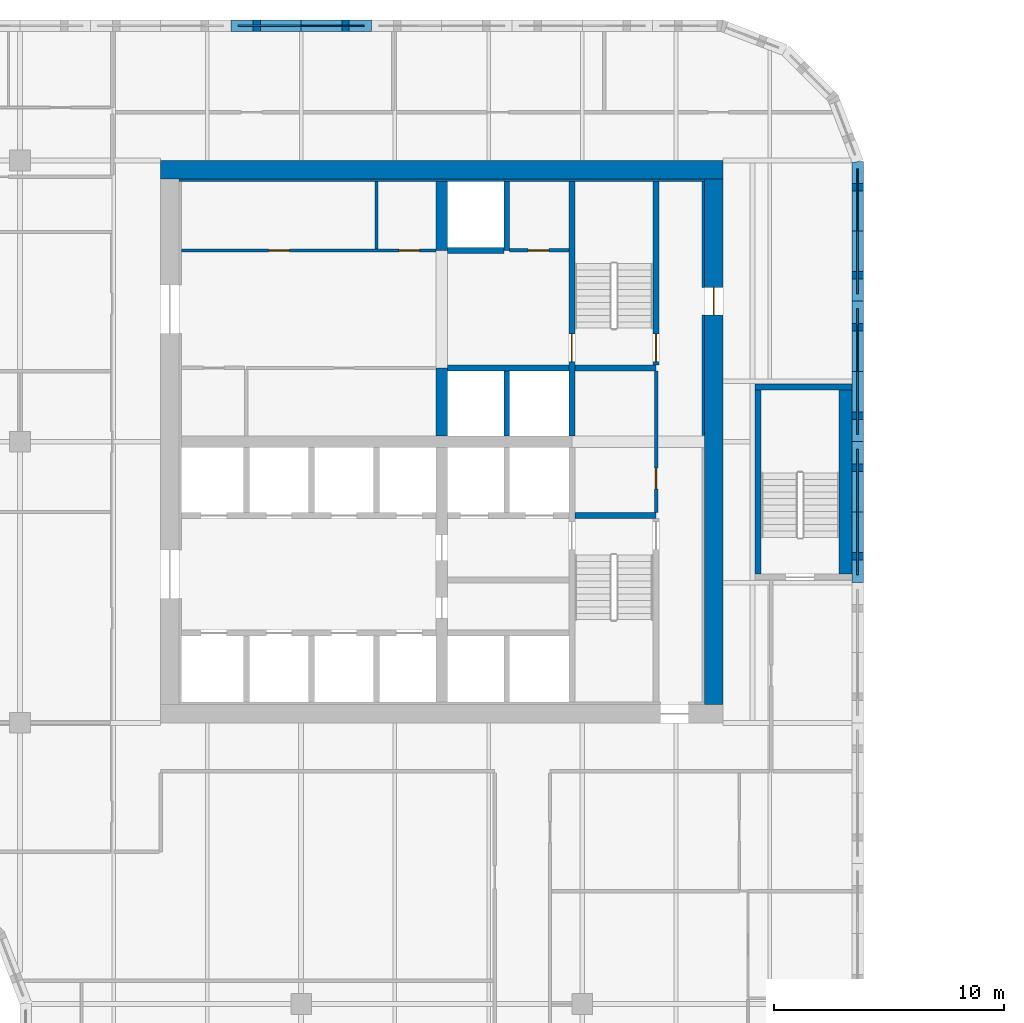
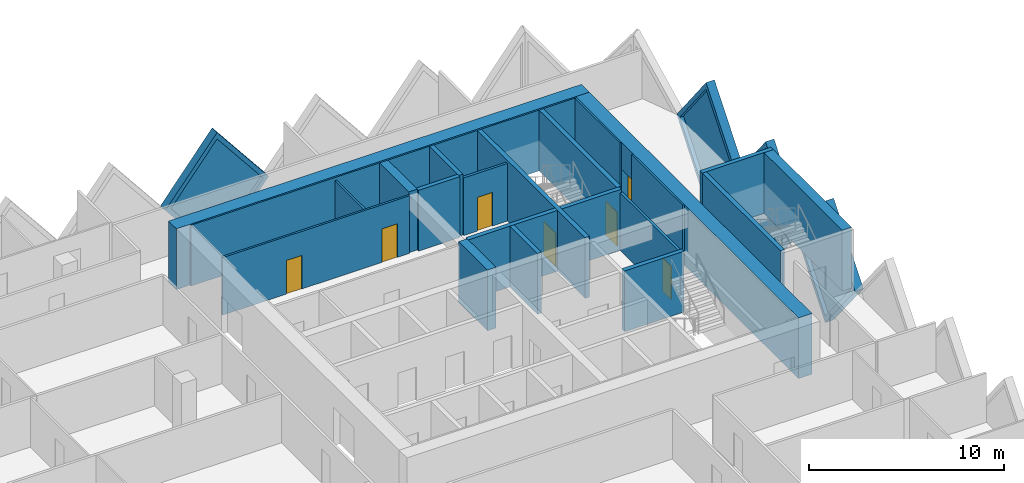
# One storey, part 10 of 19: 26 walls, 7 doors, 4 plates, 11 openings.
"""IFC4 building model written with IfcOpenShell, lengths in metres."""

import ifcopenshell
import ifcopenshell.guid

model = None  # the IFC model being written
_history = None  # IfcOwnerHistory: only IFC2X3 demands one
_inside = {}  # id of a spatial element -> (the spatial element, [elements in it])
_under = {}  # id of a project, library or spatial element -> (it, [spatial elements below it])
_declared = {}  # id of a project -> (the project, [libraries it declares])
_typed = {}  # id of a type object -> (the type object, [elements of that type])
_made_of = {}  # id of a material, layer set ... -> (it, [elements and type objects made of it])


def new_model(schema):
    """Start an empty IFC model of exactly this schema.

    Asked for "IFC4X3", IfcOpenShell would pick the latest addendum, in which some entities
    have other attributes; the version numbers below select the first issue.
    IFC2X3 requires an IfcOwnerHistory on every rooted entity: one is made here for all.
    """
    global model, _history
    if schema == "IFC4X3":
        model = ifcopenshell.file(schema_version=(4, 3, 0, 0))
    else:
        model = ifcopenshell.file(schema=schema)
    _inside.clear()
    _under.clear()
    _declared.clear()
    _typed.clear()
    _made_of.clear()
    _history = None
    if model.schema == "IFC2X3":
        org = make("IfcOrganization", Name="unknown")
        user = make(
            "IfcPersonAndOrganization",
            ThePerson=make("IfcPerson", FamilyName="unknown"),
            TheOrganization=org,
        )
        app = make(
            "IfcApplication",
            ApplicationDeveloper=org,
            Version="unknown",
            ApplicationFullName="unknown",
            ApplicationIdentifier="unknown",
        )
        _history = make(
            "IfcOwnerHistory",
            OwningUser=user,
            OwningApplication=app,
            ChangeAction="ADDED",
            CreationDate=0,
        )
    return model


def make(cls, **values):
    """One entity of the class cls with the attributes given. An attribute that is None is left unset."""
    return model.create_entity(
        cls, **{name: value for name, value in values.items() if value is not None}
    )


def rooted(cls, **values):
    """An entity with a GlobalId (a new one), such as an element, a storey or a relation."""
    return make(cls, GlobalId=ifcopenshell.guid.new(), OwnerHistory=_history, **values)


def si_unit(unit_type, name, prefix=None):
    """IfcSIUnit, for example si_unit("LENGTHUNIT", "METRE", prefix="MILLI")."""
    return make("IfcSIUnit", UnitType=unit_type, Prefix=prefix, Name=name)


def assignment(units):
    """IfcUnitAssignment: the units of a project."""
    return None if units is None else make("IfcUnitAssignment", Units=units)


def point(xyz):
    """IfcCartesianPoint."""
    return None if xyz is None else make("IfcCartesianPoint", Coordinates=xyz)


def direction(xyz):
    """IfcDirection."""
    return None if xyz is None else make("IfcDirection", DirectionRatios=xyz)


def frame(location, z_axis=None, x_axis=None):
    """IfcAxis2Placement3D, a coordinate frame: its origin and axes. An axis left out is left unset."""
    return make(
        "IfcAxis2Placement3D",
        Location=point(location),
        Axis=direction(z_axis),
        RefDirection=direction(x_axis),
    )


def frame_2d(location, x_axis=None):
    """IfcAxis2Placement2D, a coordinate frame in the plane: its origin and x axis."""
    return make(
        "IfcAxis2Placement2D", Location=point(location), RefDirection=direction(x_axis)
    )


def origin():
    """The frame at (0, 0, 0) with its axes left unset."""
    return frame((0.0, 0.0, 0.0))


def place(relative_to, where):
    """IfcLocalPlacement: puts the frame where relative to a parent placement (None: the world)."""
    return make(
        "IfcLocalPlacement", PlacementRelTo=relative_to, RelativePlacement=where
    )


def context(
    kind, dimensions, precision=None, world=None, true_north=None, identifier=None
):
    """IfcGeometricRepresentationContext, for example the 3D "Model" context."""
    return make(
        "IfcGeometricRepresentationContext",
        ContextIdentifier=identifier,
        ContextType=kind,
        CoordinateSpaceDimension=dimensions,
        Precision=precision,
        WorldCoordinateSystem=world,
        TrueNorth=true_north,
    )


def subcontext(parent, identifier, kind, view, scale=None):
    """IfcGeometricRepresentationSubContext, for example "Body" below "Model"."""
    return make(
        "IfcGeometricRepresentationSubContext",
        ContextIdentifier=identifier,
        ContextType=kind,
        ParentContext=parent,
        TargetScale=scale,
        TargetView=view,
    )


def project(units=None, contexts=None):
    """IfcProject with its units and contexts."""
    return rooted(
        "IfcProject",
        Name="project",
        RepresentationContexts=contexts,
        UnitsInContext=assignment(units),
    )


def spatial(cls, under=None, at=None, **own):
    """A site, building, storey or space (cls), placed at a placement, below another one or the project."""
    s = rooted(cls, ObjectPlacement=at, **own)
    if under is not None:
        _under.setdefault(under.id(), (under, []))[1].append(s)
    return s


def polyline(points):
    """IfcPolyline through the points."""
    return make("IfcPolyline", Points=[point(p) for p in points])


def profile(cls, at=None, kind="AREA", **sizes):
    """A parametric profile (cls). Its sizes go by their IFC names, for example OverallWidth=200.0."""
    return make(cls, ProfileType=kind, Position=at, **sizes)


def rectangle(**sizes):
    """IfcRectangleProfileDef."""
    return profile("IfcRectangleProfileDef", **sizes)


def outline(outer, holes=None, kind="AREA"):
    """IfcArbitraryClosedProfileDef: a profile drawn as a closed curve; with holes, ...WithVoids."""
    if holes is None:
        return make("IfcArbitraryClosedProfileDef", ProfileType=kind, OuterCurve=outer)
    return make(
        "IfcArbitraryProfileDefWithVoids",
        ProfileType=kind,
        OuterCurve=outer,
        InnerCurves=holes,
    )


def extrude(swept, where, along, depth):
    """IfcExtrudedAreaSolid: the profile swept, set in the frame where, extruded along a direction by depth."""
    return make(
        "IfcExtrudedAreaSolid",
        SweptArea=swept,
        Position=where,
        ExtrudedDirection=direction(along),
        Depth=depth,
    )


def faces_of(points, faces, orient=None, outer=None):
    """IfcFace entities. A face is a list of loops; a loop is a list of indices into points, from 0.

    orient and outer hold one flag for each loop. By default every Orientation is true, the
    first loop of a face is its IfcFaceOuterBound and the others are IfcFaceBound.
    """
    made = []
    for i, loops in enumerate(faces):
        bounds = []
        for j, loop in enumerate(loops):
            is_outer = j == 0 if outer is None else outer[i][j]
            bounds.append(
                make(
                    "IfcFaceOuterBound" if is_outer else "IfcFaceBound",
                    Bound=make("IfcPolyLoop", Polygon=[points[k] for k in loop]),
                    Orientation=True if orient is None else orient[i][j],
                )
            )
        made.append(make("IfcFace", Bounds=bounds))
    return made


def faceted_brep(points, faces, orient=None, outer=None, voids=None):
    """IfcFacetedBrep: a solid bounded by flat faces; with voids (closed shells), ...WithVoids."""
    shared = [point(p) for p in points]
    hull = make("IfcClosedShell", CfsFaces=faces_of(shared, faces, orient, outer))
    if voids is None:
        return make("IfcFacetedBrep", Outer=hull)
    return make(
        "IfcFacetedBrepWithVoids",
        Outer=hull,
        Voids=[
            make(cls, CfsFaces=faces_of(shared, fs, o, b)) for cls, fs, o, b in voids
        ],
    )


def shape(context_of_items, identifier, shape_type, items):
    """IfcShapeRepresentation: the items that make up one representation, for example the "Body"."""
    return make(
        "IfcShapeRepresentation",
        ContextOfItems=context_of_items,
        RepresentationIdentifier=identifier,
        RepresentationType=shape_type,
        Items=items,
    )


def source(mapping_origin, context_of_items, identifier, shape_type, items):
    """IfcRepresentationMap: a shape defined once, which mapped items show again and again."""
    return make(
        "IfcRepresentationMap",
        MappingOrigin=mapping_origin,
        MappedRepresentation=shape(context_of_items, identifier, shape_type, items),
    )


def transform(
    local_origin,
    x_axis=None,
    y_axis=None,
    z_axis=None,
    scale=None,
    scale2=None,
    scale3=None,
    uniform=True,
):
    """IfcCartesianTransformationOperator3D, or its non-uniform kind. x_axis, y_axis, z_axis: its Axis1, 2, 3."""
    if uniform:
        return make(
            "IfcCartesianTransformationOperator3D",
            Axis1=direction(x_axis),
            Axis2=direction(y_axis),
            LocalOrigin=point(local_origin),
            Scale=scale,
            Axis3=direction(z_axis),
        )
    return make(
        "IfcCartesianTransformationOperator3DnonUniform",
        Axis1=direction(x_axis),
        Axis2=direction(y_axis),
        LocalOrigin=point(local_origin),
        Scale=scale,
        Axis3=direction(z_axis),
        Scale2=scale2,
        Scale3=scale3,
    )


def mapped(mapping_source, mapping_target):
    """IfcMappedItem: shows the shape of a source again, moved by a transform."""
    return make(
        "IfcMappedItem", MappingSource=mapping_source, MappingTarget=mapping_target
    )


def material(Name=None, Category=None):
    """IfcMaterial."""
    return make("IfcMaterial", Name=Name, Category=Category)


def layer(
    of_material, thickness, ventilated=None, Name=None, Category=None, Priority=None
):
    """IfcMaterialLayer: one layer of a wall or slab, of a material (None: an air gap)."""
    return make(
        "IfcMaterialLayer",
        Material=of_material,
        LayerThickness=thickness,
        IsVentilated=ventilated,
        Name=Name,
        Category=Category,
        Priority=Priority,
    )


def layer_set(layers, Name=None):
    """IfcMaterialLayerSet."""
    return make("IfcMaterialLayerSet", MaterialLayers=layers, LayerSetName=Name)


def made_of(thing, what):
    """Note that an element or type object is made of a material, layer set ...; save() writes the relation."""
    if what is not None:
        _made_of.setdefault(what.id(), (what, []))[1].append(thing)
    return thing


def type_object(cls, material=None, **own):
    """A type object (cls), such as IfcWallType, which elements share."""
    return made_of(rooted(cls, **own), material)


def element(
    cls,
    number,
    at=None,
    inside=None,
    cuts=None,
    type_object=None,
    material=None,
    context=None,
    identifier="Body",
    shape_type=None,
    held_by="IfcProductDefinitionShape",
    body=None,
    shapes=None,
    **own,
):
    """One element of the class cls, such as IfcWall. Its Tag is "e" and its number.

    at: its placement. inside: the storey or other place that contains it. cuts: it is an
    opening in that element (IfcRelVoidsElement). A single representation is given by context,
    identifier, shape_type and body (its items); several are given by shapes. held_by: the class
    of the entity that holds the representations. save() writes the other relations.
    """
    e = rooted(cls, Tag="e%d" % number, ObjectPlacement=at, **own)
    if body is not None:
        shapes = [shape(context, identifier, shape_type, body)]
    if shapes is not None:
        e.Representation = make(held_by, Representations=shapes)
    if inside is not None:
        _inside.setdefault(inside.id(), (inside, []))[1].append(e)
    if cuts is not None:
        rooted(
            "IfcRelVoidsElement", RelatingBuildingElement=cuts, RelatedOpeningElement=e
        )
    if type_object is not None:
        _typed.setdefault(type_object.id(), (type_object, []))[1].append(e)
    return made_of(e, material)


def fill(opening, filler):
    """IfcRelFillsElement: the door or window that sits in an opening."""
    return rooted(
        "IfcRelFillsElement",
        RelatingOpeningElement=opening,
        RelatedBuildingElement=filler,
    )


def aggregate(whole, parts):
    """IfcRelAggregates: a whole, such as a stair, and the parts it consists of."""
    return rooted("IfcRelAggregates", RelatingObject=whole, RelatedObjects=parts)


def save(model, path):
    """Write the relations noted so far, then the file.

    IfcRelAggregates (storeys below a building ...), IfcRelContainedInSpatialStructure (elements
    in a storey), IfcRelDefinesByType, IfcRelAssociatesMaterial and IfcRelDeclares: one each for
    every whole, place, type object, material and project.
    """
    for whole, parts in _under.values():
        aggregate(whole, parts)
    for where, things in _inside.values():
        rooted(
            "IfcRelContainedInSpatialStructure",
            RelatedElements=things,
            RelatingStructure=where,
        )
    for kind, things in _typed.values():
        rooted("IfcRelDefinesByType", RelatedObjects=things, RelatingType=kind)
    for what, things in _made_of.values():
        rooted("IfcRelAssociatesMaterial", RelatedObjects=things, RelatingMaterial=what)
    for by, libraries in _declared.values():
        rooted("IfcRelDeclares", RelatingContext=by, RelatedDefinitions=libraries)
    model.write(path)


model = new_model("IFC4")

# Units and contexts
model_context = context("Model", 3, precision=1e-05, world=origin(), true_north=direction((0.0, 1.0)))
body_context = subcontext(model_context, "Body", "Model", "MODEL_VIEW")
ifc_project = project(units=[si_unit("LENGTHUNIT", "METRE"), si_unit("AREAUNIT", "SQUARE_METRE"), si_unit("VOLUMEUNIT", "CUBIC_METRE"), si_unit("PLANEANGLEUNIT", "RADIAN"), si_unit("MASSUNIT", "GRAM", prefix="KILO")], contexts=[model_context])

# Site, building, storey
site_placement = place(None, origin())
site = spatial("IfcSite", under=ifc_project, at=site_placement, CompositionType="ELEMENT")
building_placement = place(site_placement, origin())
building = spatial("IfcBuilding", under=site, at=building_placement, Name="Tessera Gate Towers", CompositionType="ELEMENT")
storey_placement = place(building_placement, frame((0.0, 0.0, 76.199951171875)))
storey = spatial("IfcBuildingStorey", under=building, at=storey_placement, Name="L18", CompositionType="ELEMENT", Elevation=76.199951171875)

# Wall, opening, door
ifc_material_1 = material(Name="Concrete C40/50", Category="concrete")
ifc_layer_1 = layer(ifc_material_1, 0.25)
ifc_layer_set_1 = layer_set([ifc_layer_1], Name="CORE ENCLOSURE WALL 250")
wall_type_1 = type_object("IfcWallType", Name="CORE ENCLOSURE WALL 250", PredefinedType="SOLIDWALL", material=ifc_layer_set_1)
wall_1_placement = place(storey_placement, frame((48.35009765625, 47.89990234375, 0.0), z_axis=(0.0, 0.0, 1.0), x_axis=(0.0, -1.0, 0.0)))
wall_1 = element("IfcWall", 1, at=wall_1_placement, inside=storey, type_object=wall_type_1, Name="L18 shaft and stair enclosure wall", PredefinedType="SOLIDWALL", context=body_context, shape_type="SweptSolid", body=[
    extrude(rectangle(XDim=11.0498046875, YDim=0.25, at=frame_2d((5.52490234375, 0.0))), origin(), (0.0, 0.0, 1.0), 3.800048828125),
])
shared_shape_1 = source(origin(), body_context, "Body", "SweptSolid", [
    extrude(rectangle(XDim=1.199951171875, YDim=2.10009765625, at=frame_2d((0.60009765625, 1.050048828125))), frame((0.0, 0.135009765625, 0.0), z_axis=(0.0, -1.0, 0.0), x_axis=(1.0, 0.0, 0.0)), (0.0, 0.0, 1.0), 0.27001953125),
])
opening_1_placement = place(wall_1_placement, frame((6.625, 0.0, 0.0)))
opening_1 = element("IfcOpeningElement", 2, at=opening_1_placement, cuts=wall_1, Name="Opening SD-ST2-1", PredefinedType="OPENING", context=body_context, shape_type="MappedRepresentation", body=[
    mapped(shared_shape_1, transform((0.0, 0.0, 0.0), scale=1.0)),
])
ifc_material_2 = material(Name="Hollow steel fire door", Category="steel")
door_type_1 = type_object("IfcDoorType", Name="CORE DOOR SD 1200x2100", OperationType="NOTDEFINED", PredefinedType="DOOR", material=ifc_material_2)
shared_shape_2 = source(origin(), body_context, "Body", "SweptSolid", [
    extrude(rectangle(XDim=1.199951171875, YDim=2.10009765625, at=frame_2d((0.60009765625, 1.050048828125))), frame((0.0, 0.02490234375, 0.0), z_axis=(0.0, -1.0, 0.0), x_axis=(1.0, 0.0, 0.0)), (0.0, 0.0, 1.0), 0.050048828125),
])
door_1_placement = place(opening_1_placement, origin())
door_1 = element("IfcDoor", 3, at=door_1_placement, inside=storey, type_object=door_type_1, Name="Stair door", OperationType="SINGLE_SWING_RIGHT", OverallHeight=2.10009765625, OverallWidth=1.199951171875, PredefinedType="DOOR", context=body_context, shape_type="MappedRepresentation", body=[
    mapped(shared_shape_2, transform((0.0, 0.0, 0.0), scale=1.0)),
])
fill(opening_1, door_1)

# Walls
wall_2_placement = place(storey_placement, frame((48.47509765625, 33.39990234375, 0.0), z_axis=(0.0, 0.0, 1.0), x_axis=(1.0, 0.0, 0.0)))
element("IfcWall", 4, at=wall_2_placement, inside=storey, type_object=wall_type_1, Name="L18 shaft and stair enclosure wall", PredefinedType="SOLIDWALL", context=body_context, shape_type="SweptSolid", body=[
    extrude(rectangle(XDim=3.52490234375, YDim=0.25, at=frame_2d((1.762451171875, 0.0))), origin(), (0.0, 0.0, 1.0), 3.800048828125),
])
wall_3_placement = place(storey_placement, frame((42.949951171875, 39.800048828125, 0.0), z_axis=(0.0, 0.0, 1.0), x_axis=(1.0, 0.0, 0.0)))
element("IfcWall", 5, at=wall_3_placement, inside=storey, type_object=wall_type_1, Name="L18 shaft and stair enclosure wall", PredefinedType="SOLIDWALL", context=body_context, shape_type="SweptSolid", body=[
    extrude(rectangle(XDim=5.275146484375, YDim=0.25, at=frame_2d((2.6376953125, 0.0))), origin(), (0.0, 0.0, 1.0), 3.800048828125),
])
wall_4_placement = place(storey_placement, frame((48.47509765625, 39.800048828125, 0.0), z_axis=(0.0, 0.0, 1.0), x_axis=(1.0, 0.0, 0.0)))
element("IfcWall", 6, at=wall_4_placement, inside=storey, type_object=wall_type_1, Name="L18 shaft and stair enclosure wall", PredefinedType="SOLIDWALL", context=body_context, shape_type="SweptSolid", body=[
    extrude(rectangle(XDim=3.52490234375, YDim=0.25, at=frame_2d((1.762451171875, 0.0))), origin(), (0.0, 0.0, 1.0), 3.800048828125),
])

# Wall, opening, door
wall_5_placement = place(storey_placement, frame((52.0, 39.925048828125, 0.0), z_axis=(0.0, 0.0, 1.0), x_axis=(0.0, 1.0, 0.0)))
wall_5 = element("IfcWall", 7, at=wall_5_placement, inside=storey, type_object=wall_type_1, Name="L18 shaft and stair enclosure wall", PredefinedType="SOLIDWALL", context=body_context, shape_type="SweptSolid", body=[
    extrude(rectangle(XDim=7.974853515625, YDim=0.25, at=frame_2d((3.9873046875, 0.0))), origin(), (0.0, 0.0, 1.0), 3.800048828125),
])
opening_2_placement = place(wall_5_placement, frame((0.14990234375, 0.0, 0.0)))
opening_2 = element("IfcOpeningElement", 8, at=opening_2_placement, cuts=wall_5, Name="Opening SD-ST2-2", PredefinedType="OPENING", context=body_context, shape_type="MappedRepresentation", body=[
    mapped(shared_shape_1, transform((0.0, 0.0, 0.0), scale=1.0)),
])
door_2_placement = place(opening_2_placement, origin())
door_2 = element("IfcDoor", 9, at=door_2_placement, inside=storey, type_object=door_type_1, Name="Stair door", OperationType="SINGLE_SWING_LEFT", OverallHeight=2.10009765625, OverallWidth=1.199951171875, PredefinedType="DOOR", context=body_context, shape_type="MappedRepresentation", body=[
    mapped(shared_shape_2, transform((0.0, 0.0, 0.0), scale=1.0)),
])
fill(opening_2, door_2)

# Walls
wall_6_placement = place(storey_placement, frame((45.52490234375, 36.85009765625, 0.0), z_axis=(0.0, 0.0, 1.0), x_axis=(0.0, 1.0, 0.0)))
element("IfcWall", 10, at=wall_6_placement, inside=storey, type_object=wall_type_1, Name="L18 shaft and stair enclosure wall", PredefinedType="SOLIDWALL", context=body_context, shape_type="SweptSolid", body=[
    extrude(rectangle(XDim=2.824951171875, YDim=0.25, at=frame_2d((1.41259765625, 0.0))), origin(), (0.0, 0.0, 1.0), 3.800048828125),
])
wall_7_placement = place(storey_placement, frame((45.52490234375, 44.89990234375, 0.0), z_axis=(0.0, 0.0, 1.0), x_axis=(0.0, 1.0, 0.0)))
element("IfcWall", 11, at=wall_7_placement, inside=storey, type_object=wall_type_1, Name="L18 shaft and stair enclosure wall", PredefinedType="SOLIDWALL", context=body_context, shape_type="SweptSolid", body=[
    extrude(rectangle(XDim=3.0, YDim=0.25, at=frame_2d((1.5, 0.0))), origin(), (0.0, 0.0, 1.0), 3.800048828125),
])
wall_8_placement = place(storey_placement, frame((42.949951171875, 44.89990234375, 0.0), z_axis=(0.0, 0.0, 1.0), x_axis=(1.0, 0.0, 0.0)))
element("IfcWall", 12, at=wall_8_placement, inside=storey, type_object=wall_type_1, Name="L18 shaft and stair enclosure wall", PredefinedType="SOLIDWALL", context=body_context, shape_type="SweptSolid", body=[
    extrude(rectangle(XDim=2.449951171875, YDim=0.25, at=frame_2d((1.22509765625, 0.0))), origin(), (0.0, 0.0, 1.0), 3.800048828125),
])
wall_9_placement = place(storey_placement, frame((56.425048828125, 30.85009765625, 0.0), z_axis=(0.0, 0.0, 1.0), x_axis=(0.0, 1.0, 0.0)))
element("IfcWall", 13, at=wall_9_placement, inside=storey, type_object=wall_type_1, Name="L18 ST5 enclosure wall", PredefinedType="SOLIDWALL", context=body_context, shape_type="SweptSolid", body=[
    extrude(rectangle(XDim=8.0, YDim=0.25, at=frame_2d((4.0, 0.0))), origin(), (0.0, 0.0, 1.0), 3.800048828125),
])
wall_10_placement = place(storey_placement, frame((56.300048828125, 38.97509765625, 0.0), z_axis=(0.0, 0.0, 1.0), x_axis=(1.0, 0.0, 0.0)))
element("IfcWall", 14, at=wall_10_placement, inside=storey, type_object=wall_type_1, Name="L18 ST5 enclosure wall", PredefinedType="SOLIDWALL", context=body_context, shape_type="SweptSolid", body=[
    extrude(rectangle(XDim=4.199951171875, YDim=0.25, at=frame_2d((2.10009765625, 0.0))), origin(), (0.0, 0.0, 1.0), 3.800048828125),
])
ifc_material_3 = material(Name="Concrete C40/50", Category="concrete")
ifc_layer_2 = layer(ifc_material_3, 0.550048828125)
ifc_layer_set_2 = layer_set([ifc_layer_2], Name="CORE ENCLOSURE WALL 550")
wall_type_2 = type_object("IfcWallType", Name="CORE ENCLOSURE WALL 550", PredefinedType="SOLIDWALL", material=ifc_layer_set_2)
wall_11_placement = place(storey_placement, frame((60.22509765625, 38.85009765625, 0.0), z_axis=(0.0, 0.0, 1.0), x_axis=(0.0, -1.0, 0.0)))
element("IfcWall", 15, at=wall_11_placement, inside=storey, type_object=wall_type_2, Name="L18 ST5 enclosure wall", PredefinedType="SOLIDWALL", context=body_context, shape_type="SweptSolid", body=[
    extrude(rectangle(XDim=8.0, YDim=0.550048828125, at=frame_2d((4.0, 0.0))), origin(), (0.0, 0.0, 1.0), 3.800048828125),
])

# Wall, openings, doors
ifc_material_4 = material(Name="Gypsum board on steel studs", Category="steel")
ifc_layer_3 = layer(ifc_material_4, 0.1201171875)
ifc_layer_set_3 = layer_set([ifc_layer_3], Name="CORE PARTITION 120")
wall_type_3 = type_object("IfcWallType", Name="CORE PARTITION 120", PredefinedType="PARTITIONING", material=ifc_layer_set_3)
wall_12_placement = place(storey_placement, frame((31.39990234375, 44.89990234375, 0.0), z_axis=(0.0, 0.0, 1.0), x_axis=(1.0, 0.0, 0.0)))
wall_12 = element("IfcWall", 16, at=wall_12_placement, inside=storey, type_object=wall_type_3, Name="L18 core partition", PredefinedType="PARTITIONING", context=body_context, shape_type="SweptSolid", body=[
    extrude(rectangle(XDim=11.050048828125, YDim=0.1201171875, at=frame_2d((5.52490234375, 0.0))), origin(), (0.0, 0.0, 1.0), 3.60009765625),
])
shared_shape_3 = source(origin(), body_context, "Body", "SweptSolid", [
    extrude(rectangle(XDim=0.89990234375, YDim=2.10009765625, at=frame_2d((0.449951171875, 1.050048828125))), frame((0.0, 0.070068359375, 0.0), z_axis=(0.0, -1.0, 0.0), x_axis=(1.0, 0.0, 0.0)), (0.0, 0.0, 1.0), 0.14013671875),
])
opening_3_placement = place(wall_12_placement, frame((3.78759765625, 0.0, 0.0)))
opening_3 = element("IfcOpeningElement", 17, at=opening_3_placement, cuts=wall_12, Name="Opening RD-T1-13-07", PredefinedType="OPENING", context=body_context, shape_type="MappedRepresentation", body=[
    mapped(shared_shape_3, transform((0.0, 0.0, 0.0), scale=1.0)),
])
opening_4_placement = place(wall_12_placement, frame((9.4375, 0.0, 0.0)))
opening_4 = element("IfcOpeningElement", 18, at=opening_4_placement, cuts=wall_12, Name="Opening RD-T1-13-08", PredefinedType="OPENING", context=body_context, shape_type="MappedRepresentation", body=[
    mapped(shared_shape_3, transform((0.0, 0.0, 0.0), scale=1.0)),
])
ifc_material_5 = material(Name="Hollow steel fire door", Category="steel")
door_type_2 = type_object("IfcDoorType", Name="CORE DOOR RD 900x2100", OperationType="NOTDEFINED", PredefinedType="DOOR", material=ifc_material_5)
shared_shape_4 = source(origin(), body_context, "Body", "SweptSolid", [
    extrude(rectangle(XDim=0.89990234375, YDim=2.10009765625, at=frame_2d((0.449951171875, 1.050048828125))), frame((0.0, 0.02490234375, 0.0), z_axis=(0.0, -1.0, 0.0), x_axis=(1.0, 0.0, 0.0)), (0.0, 0.0, 1.0), 0.050048828125),
])
door_3_placement = place(opening_3_placement, origin())
door_3 = element("IfcDoor", 19, at=door_3_placement, inside=storey, type_object=door_type_2, Name="Core room door", OperationType="SINGLE_SWING_LEFT", OverallHeight=2.10009765625, OverallWidth=0.89990234375, PredefinedType="DOOR", context=body_context, shape_type="MappedRepresentation", body=[
    mapped(shared_shape_4, transform((0.0, 0.0, 0.0), scale=1.0)),
])
fill(opening_3, door_3)
door_4_placement = place(opening_4_placement, origin())
door_4 = element("IfcDoor", 20, at=door_4_placement, inside=storey, type_object=door_type_2, Name="Core room door", OperationType="SINGLE_SWING_RIGHT", OverallHeight=2.10009765625, OverallWidth=0.89990234375, PredefinedType="DOOR", context=body_context, shape_type="MappedRepresentation", body=[
    mapped(shared_shape_4, transform((0.0, 0.0, 0.0), scale=1.0)),
])
fill(opening_4, door_4)

# Walls
wall_13_placement = place(storey_placement, frame((39.875, 44.9599609375, 0.0), z_axis=(0.0, 0.0, 1.0), x_axis=(0.0, 1.0, 0.0)))
element("IfcWall", 21, at=wall_13_placement, inside=storey, type_object=wall_type_3, Name="L18 core partition", PredefinedType="PARTITIONING", context=body_context, shape_type="SweptSolid", body=[
    extrude(rectangle(XDim=2.93994140625, YDim=0.1201171875, at=frame_2d((1.469970703125, 0.0))), origin(), (0.0, 0.0, 1.0), 3.60009765625),
])
ifc_material_6 = material(Name="Concrete C60/75", Category="concrete")
ifc_layer_4 = layer(ifc_material_6, 0.800048828125)
ifc_layer_set_4 = layer_set([ifc_layer_4], Name="CORE SHEAR WALL 800 C60/75")
wall_type_4 = type_object("IfcWallType", Name="CORE SHEAR WALL 800 C60/75", PredefinedType="SHEAR", material=ifc_layer_set_4)
wall_14_placement = place(storey_placement, frame((30.5, 48.39990234375, 0.0), z_axis=(0.0, 0.0, 1.0), x_axis=(1.0, 0.0, 0.0)))
element("IfcWall", 22, at=wall_14_placement, inside=storey, type_object=wall_type_4, Name="Core wall N L18", PredefinedType="SHEAR", context=body_context, shape_type="SweptSolid", body=[
    extrude(rectangle(XDim=24.39990234375, YDim=0.800048828125, at=frame_2d((12.199951171875, 0.0))), origin(), (0.0, 0.0, 1.0), 3.800048828125),
])

# Wall, opening, door
wall_15_placement = place(storey_placement, frame((54.5, 48.0, 0.0), z_axis=(0.0, 0.0, 1.0), x_axis=(0.0, -1.0, 0.0)))
wall_15 = element("IfcWall", 23, at=wall_15_placement, inside=storey, type_object=wall_type_4, Name="Core wall E L18", PredefinedType="SHEAR", context=body_context, shape_type="SweptSolid", body=[
    extrude(rectangle(XDim=22.800048828125, YDim=0.800048828125, at=frame_2d((11.39990234375, 0.0))), origin(), (0.0, 0.0, 1.0), 3.800048828125),
])
shared_shape_5 = source(origin(), body_context, "Body", "SweptSolid", [
    extrude(rectangle(XDim=1.199951171875, YDim=2.10009765625, at=frame_2d((0.60009765625, 1.050048828125))), frame((0.0, 0.409912109375, 0.0), z_axis=(0.0, -1.0, 0.0), x_axis=(1.0, 0.0, 0.0)), (0.0, 0.0, 1.0), 0.820068359375),
])
opening_5_placement = place(wall_15_placement, frame((4.699951171875, 0.0, 0.0)))
opening_5 = element("IfcOpeningElement", 24, at=opening_5_placement, cuts=wall_15, Name="Opening ED-T1-13-04", PredefinedType="OPENING", context=body_context, shape_type="MappedRepresentation", body=[
    mapped(shared_shape_5, transform((0.0, 0.0, 0.0), scale=1.0)),
])
ifc_material_7 = material(Name="Hollow steel fire door", Category="steel")
door_type_3 = type_object("IfcDoorType", Name="CORE DOOR ED 1200x2100", OperationType="NOTDEFINED", PredefinedType="DOOR", material=ifc_material_7)
door_5_placement = place(opening_5_placement, origin())
door_5 = element("IfcDoor", 25, at=door_5_placement, inside=storey, type_object=door_type_3, Name="Core exit door", OperationType="SINGLE_SWING_LEFT", OverallHeight=2.10009765625, OverallWidth=1.199951171875, PredefinedType="DOOR", context=body_context, shape_type="MappedRepresentation", body=[
    mapped(shared_shape_2, transform((0.0, 0.0, 0.0), scale=1.0)),
])
fill(opening_5, door_5)

# Walls
ifc_material_8 = material(Name="Concrete C60/75", Category="concrete")
ifc_layer_5 = layer(ifc_material_8, 0.5)
ifc_layer_set_5 = layer_set([ifc_layer_5], Name="CORE SPINE WALL 500 C60/75")
wall_type_5 = type_object("IfcWallType", Name="CORE SPINE WALL 500 C60/75", PredefinedType="SHEAR", material=ifc_layer_set_5)
wall_16_placement = place(storey_placement, frame((42.699951171875, 36.85009765625, 0.0), z_axis=(0.0, 0.0, 1.0), x_axis=(0.0, 1.0, 0.0)))
element("IfcWall", 26, at=wall_16_placement, inside=storey, type_object=wall_type_5, Name="Core wall spine L18", PredefinedType="SHEAR", context=body_context, shape_type="SweptSolid", body=[
    extrude(rectangle(XDim=2.949951171875, YDim=0.5, at=frame_2d((1.47509765625, 0.0))), origin(), (0.0, 0.0, 1.0), 3.800048828125),
])
wall_17_placement = place(storey_placement, frame((42.699951171875, 44.89990234375, 0.0), z_axis=(0.0, 0.0, 1.0), x_axis=(0.0, 1.0, 0.0)))
element("IfcWall", 27, at=wall_17_placement, inside=storey, type_object=wall_type_5, Name="Core wall spine L18", PredefinedType="SHEAR", context=body_context, shape_type="SweptSolid", body=[
    extrude(rectangle(XDim=3.0, YDim=0.5, at=frame_2d((1.5, 0.0))), origin(), (0.0, 0.0, 1.0), 3.800048828125),
])
ifc_material_9 = material(Name="Concrete C60/75", Category="concrete")
ifc_layer_6 = layer(ifc_material_9, 0.10009765625)
ifc_layer_set_6 = layer_set([ifc_layer_6], Name="CORE WALL THICKENING 100")
wall_type_6 = type_object("IfcWallType", Name="CORE WALL THICKENING 100", PredefinedType="SOLIDWALL", material=ifc_layer_set_6)
wall_18_placement = place(storey_placement, frame((31.300048828125, 47.949951171875, 0.0), z_axis=(0.0, 0.0, 1.0), x_axis=(1.0, 0.0, 0.0)))
element("IfcWall", 28, at=wall_18_placement, inside=storey, type_object=wall_type_6, Name="Core wall thickening N L18", PredefinedType="SOLIDWALL", context=body_context, shape_type="SweptSolid", body=[
    extrude(rectangle(XDim=22.800048828125, YDim=0.10009765625, at=frame_2d((11.39990234375, 0.0))), origin(), (0.0, 0.0, 1.0), 3.800048828125),
])
wall_19_placement = place(storey_placement, frame((54.050048828125, 36.8798828125, 0.0), z_axis=(0.0, 0.0, 1.0), x_axis=(0.0, 1.0, 0.0)))
element("IfcWall", 29, at=wall_19_placement, inside=storey, type_object=wall_type_6, Name="Core wall thickening E L18", PredefinedType="SOLIDWALL", context=body_context, shape_type="SweptSolid", body=[
    extrude(rectangle(XDim=5.22021484375, YDim=0.10009765625, at=frame_2d((2.610107421875, 0.0))), origin(), (0.0, 0.0, 1.0), 3.800048828125),
])
wall_20_placement = place(storey_placement, frame((54.050048828125, 43.300048828125, 0.0), z_axis=(0.0, 0.0, 1.0), x_axis=(0.0, 1.0, 0.0)))
element("IfcWall", 30, at=wall_20_placement, inside=storey, type_object=wall_type_6, Name="Core wall thickening E L18", PredefinedType="SOLIDWALL", context=body_context, shape_type="SweptSolid", body=[
    extrude(rectangle(XDim=4.599853515625, YDim=0.10009765625, at=frame_2d((2.2998046875, 0.0))), origin(), (0.0, 0.0, 1.0), 3.800048828125),
])

# Wall, opening, door
ifc_material_10 = material(Name="Gypsum board on steel studs", Category="steel")
ifc_layer_7 = layer(ifc_material_10, 0.14990234375)
ifc_layer_set_7 = layer_set([ifc_layer_7], Name="SERVICE ROOM WALL 150")
wall_type_7 = type_object("IfcWallType", Name="SERVICE ROOM WALL 150", PredefinedType="PARTITIONING", material=ifc_layer_set_7)
wall_21_placement = place(storey_placement, frame((52.0, 33.52490234375, 0.0), z_axis=(0.0, 0.0, 1.0), x_axis=(0.0, 1.0, 0.0)))
wall_21 = element("IfcWall", 31, at=wall_21_placement, inside=storey, type_object=wall_type_7, Name="L18 service room wall", PredefinedType="PARTITIONING", context=body_context, shape_type="SweptSolid", body=[
    extrude(rectangle(XDim=6.150146484375, YDim=0.14990234375, at=frame_2d((3.0751953125, 0.0))), origin(), (0.0, 0.0, 1.0), 3.60009765625),
])
shared_shape_6 = source(origin(), body_context, "Body", "SweptSolid", [
    extrude(rectangle(XDim=0.89990234375, YDim=2.10009765625, at=frame_2d((0.449951171875, 1.050048828125))), frame((0.0, 0.0849609375, 0.0), z_axis=(0.0, -1.0, 0.0), x_axis=(1.0, 0.0, 0.0)), (0.0, 0.0, 1.0), 0.169921875),
])
opening_6_placement = place(wall_21_placement, frame((1.02490234375, 0.0, 0.0)))
opening_6 = element("IfcOpeningElement", 32, at=opening_6_placement, cuts=wall_21, Name="Opening RD-T1-13-10", PredefinedType="OPENING", context=body_context, shape_type="MappedRepresentation", body=[
    mapped(shared_shape_6, transform((0.0, 0.0, 0.0), scale=1.0)),
])
door_6_placement = place(opening_6_placement, origin())
door_6 = element("IfcDoor", 33, at=door_6_placement, inside=storey, type_object=door_type_2, Name="Core room door", OperationType="SINGLE_SWING_LEFT", OverallHeight=2.10009765625, OverallWidth=0.89990234375, PredefinedType="DOOR", context=body_context, shape_type="MappedRepresentation", body=[
    mapped(shared_shape_4, transform((0.0, 0.0, 0.0), scale=1.0)),
])
fill(opening_6, door_6)

wall_22_placement = place(storey_placement, frame((45.64990234375, 44.89990234375, 0.0), z_axis=(0.0, 0.0, 1.0), x_axis=(1.0, 0.0, 0.0)))
wall_22 = element("IfcWall", 34, at=wall_22_placement, inside=storey, type_object=wall_type_7, Name="L18 service room wall", PredefinedType="PARTITIONING", context=body_context, shape_type="SweptSolid", body=[
    extrude(rectangle(XDim=2.5751953125, YDim=0.14990234375, at=frame_2d((1.28759765625, 0.0))), origin(), (0.0, 0.0, 1.0), 3.60009765625),
])
opening_7_placement = place(wall_22_placement, frame((0.800048828125, 0.0, 0.0)))
opening_7 = element("IfcOpeningElement", 35, at=opening_7_placement, cuts=wall_22, Name="Opening RD-T1-13-11", PredefinedType="OPENING", context=body_context, shape_type="MappedRepresentation", body=[
    mapped(shared_shape_6, transform((0.0, 0.0, 0.0), scale=1.0)),
])
door_7_placement = place(opening_7_placement, origin())
door_7 = element("IfcDoor", 36, at=door_7_placement, inside=storey, type_object=door_type_2, Name="Core room door", OperationType="SINGLE_SWING_LEFT", OverallHeight=2.10009765625, OverallWidth=0.89990234375, PredefinedType="DOOR", context=body_context, shape_type="MappedRepresentation", body=[
    mapped(shared_shape_4, transform((0.0, 0.0, 0.0), scale=1.0)),
])
fill(opening_7, door_7)

# Wall, opening, plate
ifc_material_11 = material(Name="Precast concrete C60/75 white", Category="concrete")
ifc_layer_8 = layer(ifc_material_11, 0.5)
ifc_layer_set_8 = layer_set([ifc_layer_8], Name="TS1 tessera")
wall_type_8 = type_object("IfcWallType", Name="TS1 tessera", PredefinedType="SOLIDWALL", material=ifc_layer_set_8)
shared_shape_7 = source(origin(), body_context, "Body", "Brep", [
    faceted_brep([(3.050048828125, -0.25, 0.0), (6.099853515625, -0.25, 3.7998046875), (6.099853515625, -0.25, 3.80029296875), (3.050048828125, -0.25, 7.60009765625), (0.0, -0.25, 3.800048828125), (0.0, 0.25, 3.800048828125), (3.050048828125, 0.25, 7.60009765625), (6.099853515625, 0.25, 3.80029296875), (6.099853515625, 0.25, 3.7998046875), (3.050048828125, 0.25, 0.0)], [[[0, 1, 2, 3, 4]], [[5, 6, 7, 8, 9]], [[9, 8, 1, 0]], [[7, 6, 3, 2]], [[6, 5, 4, 3]], [[5, 9, 0, 4]], [[1, 8, 7, 2]]]),
])
wall_23_placement = place(storey_placement, frame((60.75, 36.60009765625, -3.800048828125), z_axis=(0.0, 0.0, 1.0), x_axis=(0.0, 1.0, 0.0)))
wall_23 = element("IfcWall", 37, at=wall_23_placement, inside=storey, type_object=wall_type_8, Name="Precast tessera T1 TS1-0261", PredefinedType="SOLIDWALL", context=body_context, shape_type="MappedRepresentation", body=[
    mapped(shared_shape_7, transform((0.0, 0.0, 0.0), scale=1.0)),
])
shared_shape_8 = source(origin(), body_context, "Body", "SweptSolid", [
    extrude(outline(polyline([(3.050048828125, 0.3994140625), (5.779541015625, 3.800048828125), (3.050048828125, 7.20068359375), (0.320556640625, 3.800048828125), (3.050048828125, 0.3994140625)])), frame((0.0, 0.260009765625, 0.0), z_axis=(0.0, -1.0, 0.0), x_axis=(1.0, 0.0, 0.0)), (0.0, 0.0, 1.0), 0.52001953125),
])
opening_8_placement = place(wall_23_placement, origin())
opening_8 = element("IfcOpeningElement", 38, at=opening_8_placement, cuts=wall_23, Name="Opening T1-PL2-0531", PredefinedType="OPENING", context=body_context, shape_type="MappedRepresentation", body=[
    mapped(shared_shape_8, transform((0.0, 0.0, 0.0), scale=1.0)),
])
ifc_material_12 = material(Name="Low-e laminated glass", Category="glass")
ifc_layer_9 = layer(ifc_material_12, 0.06005859375)
ifc_layer_set_9 = layer_set([ifc_layer_9], Name="PL2 rhombic pane")
plate_type = type_object("IfcPlateType", Name="PL2 rhombic pane", PredefinedType="SHEET", material=ifc_layer_set_9)
shared_shape_9 = source(origin(), body_context, "Body", "SweptSolid", [
    extrude(outline(polyline([(3.050048828125, 0.3994140625), (5.779541015625, 3.800048828125), (3.050048828125, 7.20068359375), (0.320556640625, 3.800048828125), (3.050048828125, 0.3994140625)])), frame((0.0, 0.030029296875, 0.0), z_axis=(0.0, -1.0, 0.0), x_axis=(1.0, 0.0, 0.0)), (0.0, 0.0, 1.0), 0.06005859375),
])
plate_1_placement = place(opening_8_placement, origin())
plate_1 = element("IfcPlate", 39, at=plate_1_placement, inside=storey, type_object=plate_type, Name="Glass pane T1 PL2-0531", PredefinedType="SHEET", context=body_context, shape_type="MappedRepresentation", body=[
    mapped(shared_shape_9, transform((0.0, 0.0, 0.0), scale=1.0)),
])
fill(opening_8, plate_1)

wall_24_placement = place(storey_placement, frame((39.64990234375, 54.64990234375, -3.800048828125), z_axis=(0.0, 0.0, 1.0), x_axis=(-1.0, 0.0, 0.0)))
wall_24 = element("IfcWall", 40, at=wall_24_placement, inside=storey, type_object=wall_type_8, Name="Precast tessera T1 TS1-0265", PredefinedType="SOLIDWALL", context=body_context, shape_type="MappedRepresentation", body=[
    mapped(shared_shape_7, transform((0.0, 0.0, 0.0), scale=1.0)),
])
opening_9_placement = place(wall_24_placement, origin())
opening_9 = element("IfcOpeningElement", 41, at=opening_9_placement, cuts=wall_24, Name="Opening T1-PL2-0539", PredefinedType="OPENING", context=body_context, shape_type="MappedRepresentation", body=[
    mapped(shared_shape_8, transform((0.0, 0.0, 0.0), scale=1.0)),
])
plate_2_placement = place(opening_9_placement, origin())
plate_2 = element("IfcPlate", 42, at=plate_2_placement, inside=storey, type_object=plate_type, Name="Glass pane T1 PL2-0539", PredefinedType="SHEET", context=body_context, shape_type="MappedRepresentation", body=[
    mapped(shared_shape_9, transform((0.0, 0.0, 0.0), scale=1.0)),
])
fill(opening_9, plate_2)

shared_shape_10 = source(origin(), body_context, "Body", "SweptSolid", [
    extrude(outline(polyline([(3.050048828125, 0.0), (6.10009765625, 3.800048828125), (3.050048828125, 7.60009765625), (0.0, 3.800048828125), (3.050048828125, 0.0)])), frame((0.0, 0.25, 0.0), z_axis=(0.0, -1.0, 0.0), x_axis=(1.0, 0.0, 0.0)), (0.0, 0.0, 1.0), 0.5),
])
wall_25_placement = place(storey_placement, frame((60.75, 30.5, -3.800048828125), z_axis=(0.0, 0.0, 1.0), x_axis=(0.0, 1.0, 0.0)))
wall_25 = element("IfcWall", 43, at=wall_25_placement, inside=storey, type_object=wall_type_8, Name="Precast tessera T1 TS1-0260", PredefinedType="SOLIDWALL", context=body_context, shape_type="MappedRepresentation", body=[
    mapped(shared_shape_10, transform((0.0, 0.0, 0.0), scale=1.0)),
])
opening_10_placement = place(wall_25_placement, origin())
opening_10 = element("IfcOpeningElement", 44, at=opening_10_placement, cuts=wall_25, Name="Opening T1-PL2-0530", PredefinedType="OPENING", context=body_context, shape_type="MappedRepresentation", body=[
    mapped(shared_shape_8, transform((0.0, 0.0, 0.0), scale=1.0)),
])
plate_3_placement = place(opening_10_placement, origin())
plate_3 = element("IfcPlate", 45, at=plate_3_placement, inside=storey, type_object=plate_type, Name="Glass pane T1 PL2-0530", PredefinedType="SHEET", context=body_context, shape_type="MappedRepresentation", body=[
    mapped(shared_shape_9, transform((0.0, 0.0, 0.0), scale=1.0)),
])
fill(opening_10, plate_3)

shared_shape_11 = source(origin(), body_context, "Body", "Brep", [
    faceted_brep([(3.050048828125, -0.25, 0.0), (6.053466796875, -0.25, 3.800048828125), (3.050048828125, -0.25, 7.60009765625), (0.0, -0.25, 3.800048828125), (0.0, 0.25, 3.800048828125), (3.050048828125, 0.25, 7.60009765625), (6.0068359375, 0.25, 3.85888671875), (6.0068359375, 0.25, 3.7412109375), (3.050048828125, 0.25, 0.0), (6.053466796875, 0.0, 3.800048828125)], [[[0, 1, 2, 3]], [[4, 5, 6, 7, 8]], [[8, 7, 9, 1, 0]], [[6, 5, 2, 1, 9]], [[5, 4, 3, 2]], [[4, 8, 0, 3]], [[9, 7, 6]]]),
])
wall_26_placement = place(storey_placement, frame((60.75, 42.699951171875, -3.800048828125), z_axis=(0.0, 0.0, 1.0), x_axis=(0.0, 1.0, 0.0)))
wall_26 = element("IfcWall", 46, at=wall_26_placement, inside=storey, type_object=wall_type_8, Name="Precast tessera T1 TS1-0262", PredefinedType="SOLIDWALL", context=body_context, shape_type="MappedRepresentation", body=[
    mapped(shared_shape_11, transform((0.0, 0.0, 0.0), scale=1.0)),
])
shared_shape_12 = source(origin(), body_context, "Body", "SweptSolid", [
    extrude(outline(polyline([(3.048583984375, 0.4013671875), (5.73486328125, 3.800048828125), (3.048583984375, 7.19873046875), (0.320556640625, 3.800048828125), (3.048583984375, 0.4013671875)])), frame((0.0, 0.260009765625, 0.0), z_axis=(0.0, -1.0, 0.0), x_axis=(1.0, 0.0, 0.0)), (0.0, 0.0, 1.0), 0.52001953125),
])
opening_11_placement = place(wall_26_placement, origin())
opening_11 = element("IfcOpeningElement", 47, at=opening_11_placement, cuts=wall_26, Name="Opening T1-PL2-0532", PredefinedType="OPENING", context=body_context, shape_type="MappedRepresentation", body=[
    mapped(shared_shape_12, transform((0.0, 0.0, 0.0), scale=1.0)),
])
shared_shape_13 = source(origin(), body_context, "Body", "SweptSolid", [
    extrude(outline(polyline([(3.048583984375, 0.4013671875), (5.73486328125, 3.800048828125), (3.048583984375, 7.19873046875), (0.320556640625, 3.800048828125), (3.048583984375, 0.4013671875)])), frame((0.0, 0.030029296875, 0.0), z_axis=(0.0, -1.0, 0.0), x_axis=(1.0, 0.0, 0.0)), (0.0, 0.0, 1.0), 0.06005859375),
])
plate_4_placement = place(opening_11_placement, origin())
plate_4 = element("IfcPlate", 48, at=plate_4_placement, inside=storey, type_object=plate_type, Name="Glass pane T1 PL2-0532", PredefinedType="SHEET", context=body_context, shape_type="MappedRepresentation", body=[
    mapped(shared_shape_13, transform((0.0, 0.0, 0.0), scale=1.0)),
])
fill(opening_11, plate_4)

save(model, "model.ifc")
